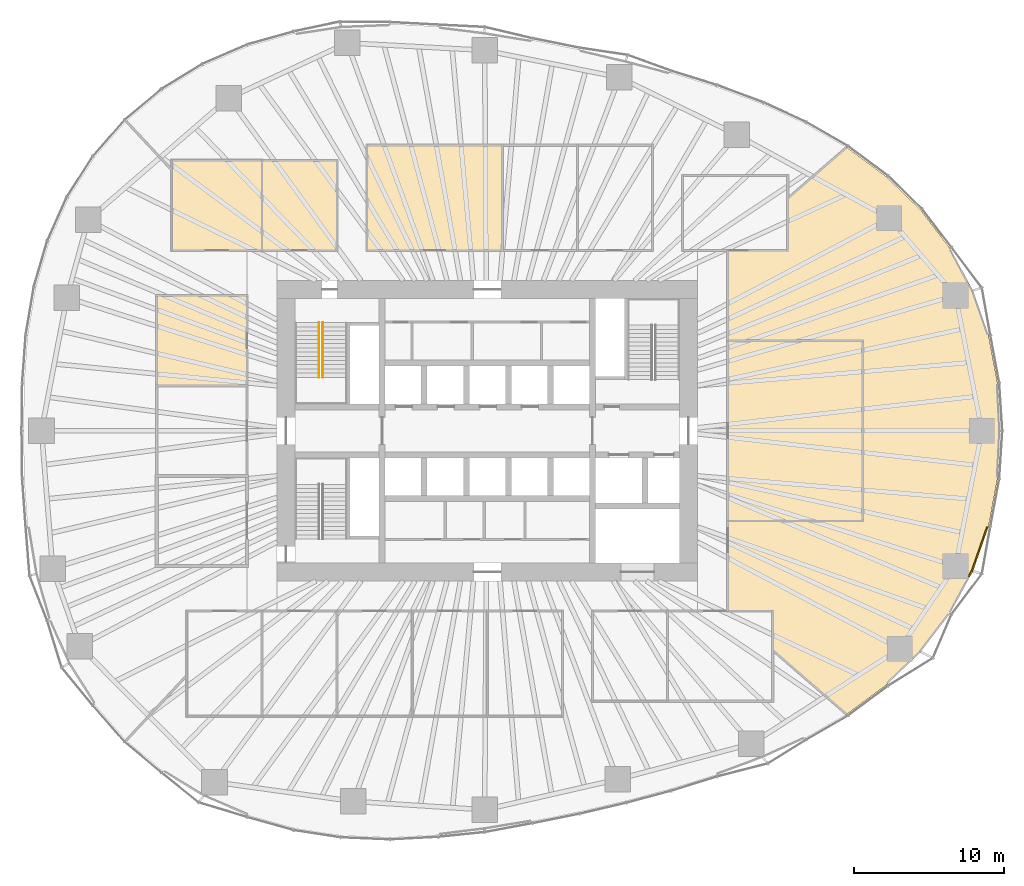
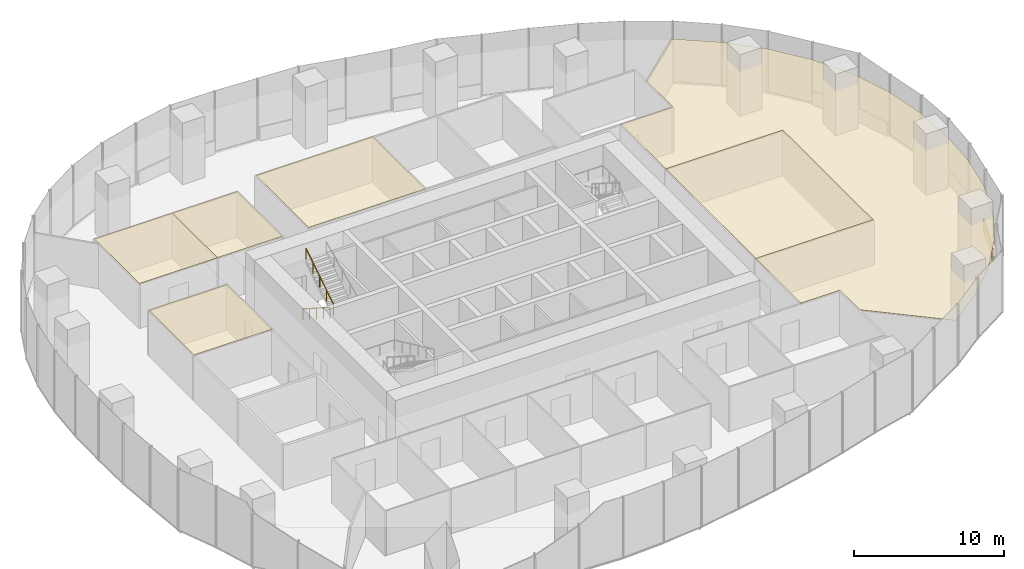
# One storey, part 19 of 20: 8 coverings, 2 railings.
"""IFC4 building model written with IfcOpenShell, lengths in metres."""

from ifc_helpers import new_model, si_unit, direction, frame, origin, origin_2d, place, context, subcontext, project, spatial, polyline, rectangle, circle, outline, extrude, material, layer, layer_set, type_object, element, save


model = new_model("IFC4")

# Units and contexts
model_context = context("Model", 3, precision=1e-05, world=origin(), true_north=direction((0.0, 1.0)))
body_context = subcontext(model_context, "Body", "Model", "MODEL_VIEW")
ifc_project = project(units=[si_unit("LENGTHUNIT", "METRE"), si_unit("AREAUNIT", "SQUARE_METRE"), si_unit("VOLUMEUNIT", "CUBIC_METRE"), si_unit("PLANEANGLEUNIT", "RADIAN"), si_unit("MASSUNIT", "GRAM", prefix="KILO")], contexts=[model_context])

# Site, building, storey
site_placement = place(None, origin())
site = spatial("IfcSite", under=ifc_project, at=site_placement, CompositionType="ELEMENT")
building_placement = place(site_placement, origin())
building = spatial("IfcBuilding", under=site, at=building_placement, Name="Ghaith Harvest Tower", CompositionType="ELEMENT")
storey_placement = place(building_placement, frame((0.0, 0.0, 55.0)))
storey = spatial("IfcBuildingStorey", under=building, at=storey_placement, Name="L11", CompositionType="ELEMENT", Elevation=55.0)

# Coverings
ifc_material_1 = material(Name="Mineral fibre ceiling tile", Category="gypsum")
ifc_layer_1 = layer(ifc_material_1, 0.02490234375)
ifc_layer_set_1 = layer_set([ifc_layer_1], Name="CEILING C2")
covering_type_1 = type_object("IfcCoveringType", Name="CEILING C2", PredefinedType="CEILING", material=ifc_layer_set_1)
covering_1_placement = place(storey_placement, frame((0.0, 0.0, 3.60009765625)))
element("IfcCovering", 1, at=covering_1_placement, inside=storey, type_object=covering_type_1, Name="Ceiling L11-08", PredefinedType="CEILING", context=body_context, shape_type="SweptSolid", body=[
    extrude(outline(polyline([(-21.0, 12.0), (-15.0, 12.0), (-15.0, 18.0), (-21.0, 18.0), (-21.0, 12.0)])), origin(), (0.0, 0.0, 1.0), 0.02490234375),
])
covering_2_placement = place(storey_placement, frame((0.0, 0.0, 3.60009765625)))
element("IfcCovering", 2, at=covering_2_placement, inside=storey, type_object=covering_type_1, Name="Ceiling L11-09", PredefinedType="CEILING", context=body_context, shape_type="SweptSolid", body=[
    extrude(outline(polyline([(-15.0, 12.0), (-10.0, 12.0), (-10.0, 18.0), (-15.0, 18.0), (-15.0, 12.0)])), origin(), (0.0, 0.0, 1.0), 0.02490234375),
])
covering_3_placement = place(storey_placement, frame((0.0, 0.0, 3.60009765625)))
element("IfcCovering", 3, at=covering_3_placement, inside=storey, type_object=covering_type_1, Name="Ceiling L11-10", PredefinedType="CEILING", context=body_context, shape_type="SweptSolid", body=[
    extrude(outline(polyline([(-8.0, 12.0), (1.0, 12.0), (1.0, 19.0), (-8.0, 19.0), (-8.0, 12.0)])), origin(), (0.0, 0.0, 1.0), 0.02490234375),
])
covering_4_placement = place(storey_placement, frame((0.0, 0.0, 3.60009765625)))
element("IfcCovering", 4, at=covering_4_placement, inside=storey, type_object=covering_type_1, Name="Ceiling L11-13", PredefinedType="CEILING", context=body_context, shape_type="SweptSolid", body=[
    extrude(outline(polyline([(16.0, -6.0), (25.0, -6.0), (25.0, 6.0), (16.0, 6.0), (16.0, -6.0)])), origin(), (0.0, 0.0, 1.0), 0.02490234375),
])
covering_5_placement = place(storey_placement, frame((0.0, 0.0, 3.60009765625)))
element("IfcCovering", 5, at=covering_5_placement, inside=storey, type_object=covering_type_1, Name="Ceiling L11-16", PredefinedType="CEILING", context=body_context, shape_type="SweptSolid", body=[
    extrude(outline(polyline([(-22.0, 3.0), (-16.0, 3.0), (-16.0, 9.0), (-22.0, 9.0), (-22.0, 3.0)])), origin(), (0.0, 0.0, 1.0), 0.02490234375),
])
covering_6_placement = place(storey_placement, frame((0.0, 0.0, 3.60009765625)))
element("IfcCovering", 6, at=covering_6_placement, inside=storey, type_object=covering_type_1, Name="Ceiling L11-E1", PredefinedType="CEILING", context=body_context, shape_type="SweptSolid", body=[
    extrude(outline(polyline([(26.572509765625, 16.9111328125), (28.840087890625, 14.708984375), (30.78515625, 12.1708984375), (32.318359375, 9.3408203125), (33.37158203125, 6.333984375), (33.95849609375, 3.194091796875), (34.125, 0.0), (33.95849609375, -3.194091796875), (33.37158203125, -6.333984375), (32.318359375, -9.3408203125), (30.78515625, -12.1708984375), (28.840087890625, -14.708984375), (26.572509765625, -16.9111328125), (23.92431640625, -18.873046875), (19.0, -14.60205078125), (19.0, -12.0), (16.0, -12.0), (16.0, -6.0), (25.0, -6.0), (25.0, 6.0), (16.0, 6.0), (16.0, 12.0), (20.0, 12.0), (20.0, 15.469482421875), (23.92431640625, 18.873046875), (26.572509765625, 16.9111328125)])), origin(), (0.0, 0.0, 1.0), 0.02490234375),
])

# Railings
ifc_material_2 = material(Name="Steel, black powder-coated", Category="steel")
railing_type = type_object("IfcRailingType", Name="HANDRAIL HR1", PredefinedType="HANDRAIL", material=ifc_material_2)
railing_1_placement = place(storey_placement, frame((-11.199951171875, 7.199951171875, 0.178466796875)))
element("IfcRailing", 7, at=railing_1_placement, inside=storey, type_object=railing_type, Name="Handrail HR1 stair ST1 L11 flight 1 inner", PredefinedType="HANDRAIL", context=body_context, shape_type="SweptSolid", body=[
    extrude(circle(Radius=0.02392578125, at=origin_2d()), frame((0.0, 0.0, 0.8759765625), z_axis=(0.0, -0.843111507901, 0.53773877045), x_axis=(1.0, 0.0, 0.0)), (0.0, 0.0, 1.0), 4.317138671875),
    extrude(circle(Radius=0.02099609375, at=origin_2d()), origin(), (0.0, 0.0, 1.0), 0.851806640625),
    extrude(circle(Radius=0.02099609375, at=origin_2d()), frame((0.0, -0.909912109375, 0.580322265625)), (0.0, 0.0, 1.0), 0.851806640625),
    extrude(circle(Radius=0.02099609375, at=origin_2d()), frame((0.0, -1.81982421875, 1.16064453125)), (0.0, 0.0, 1.0), 0.851806640625),
    extrude(circle(Radius=0.02099609375, at=origin_2d()), frame((0.0, -2.72998046875, 1.7412109375)), (0.0, 0.0, 1.0), 0.851806640625),
    extrude(circle(Radius=0.02099609375, at=origin_2d()), frame((0.0, -3.639892578125, 2.321533203125)), (0.0, 0.0, 1.0), 0.851806640625),
])
railing_2_placement = place(storey_placement, frame((-10.949951171875, 3.56005859375, 2.678466796875)))
element("IfcRailing", 8, at=railing_2_placement, inside=storey, type_object=railing_type, Name="Handrail HR1 stair ST1 L11 flight 2 inner", PredefinedType="HANDRAIL", context=body_context, shape_type="SweptSolid", body=[
    extrude(circle(Radius=0.02392578125, at=origin_2d()), frame((0.0, 0.0, 0.8759765625), z_axis=(0.0, 0.843111507901, 0.53773877045), x_axis=(-1.0, 0.0, 0.0)), (0.0, 0.0, 1.0), 4.317138671875),
    extrude(circle(Radius=0.02099609375, at=origin_2d()), origin(), (0.0, 0.0, 1.0), 0.851806640625),
    extrude(circle(Radius=0.02099609375, at=origin_2d()), frame((0.0, 0.909912109375, 0.580322265625)), (0.0, 0.0, 1.0), 0.851806640625),
    extrude(circle(Radius=0.02099609375, at=origin_2d()), frame((0.0, 1.81982421875, 1.16064453125)), (0.0, 0.0, 1.0), 0.851806640625),
    extrude(circle(Radius=0.02099609375, at=origin_2d()), frame((0.0, 2.72998046875, 1.7412109375)), (0.0, 0.0, 1.0), 0.851806640625),
    extrude(circle(Radius=0.02099609375, at=origin_2d()), frame((0.0, 3.639892578125, 2.321533203125)), (0.0, 0.0, 1.0), 0.851806640625),
])

# Coverings
ifc_material_3 = material(Name="Insulated aluminium spandrel panel on steel framing", Category="steel")
ifc_layer_2 = layer(ifc_material_3, 0.10009765625)
ifc_layer_set_2 = layer_set([ifc_layer_2], Name="SLAB EDGE UPSTAND 1100x100")
covering_type_2 = type_object("IfcCoveringType", Name="SLAB EDGE UPSTAND 1100x100", PredefinedType="CLADDING", material=ifc_layer_set_2)
covering_7_placement = place(storey_placement, frame((32.172119140625, -9.505615234375, 0.0), z_axis=(0.0, 0.0, 1.0), x_axis=(0.4763492928, 0.879256135178, 0.0)))
element("IfcCovering", 9, at=covering_7_placement, inside=storey, type_object=covering_type_2, Name="Slab edge upstand 3 bay 19 L11", PredefinedType="CLADDING", context=body_context, shape_type="SweptSolid", body=[
    extrude(rectangle(XDim=0.42919921875, YDim=0.10009765625, at=origin_2d()), origin(), (0.0, 0.0, 1.0), 1.10009765625),
])
covering_8_placement = place(storey_placement, frame((32.78125, -7.867919921875, 0.0), z_axis=(0.0, 0.0, 1.0), x_axis=(0.330597697302, 0.943771774604, 0.0)))
element("IfcCovering", 10, at=covering_8_placement, inside=storey, type_object=covering_type_2, Name="Slab edge upstand 1 bay 20 L11", PredefinedType="CLADDING", context=body_context, shape_type="SweptSolid", body=[
    extrude(rectangle(XDim=3.0859375, YDim=0.10009765625, at=origin_2d()), origin(), (0.0, 0.0, 1.0), 1.10009765625),
])

save(model, "model.ifc")
